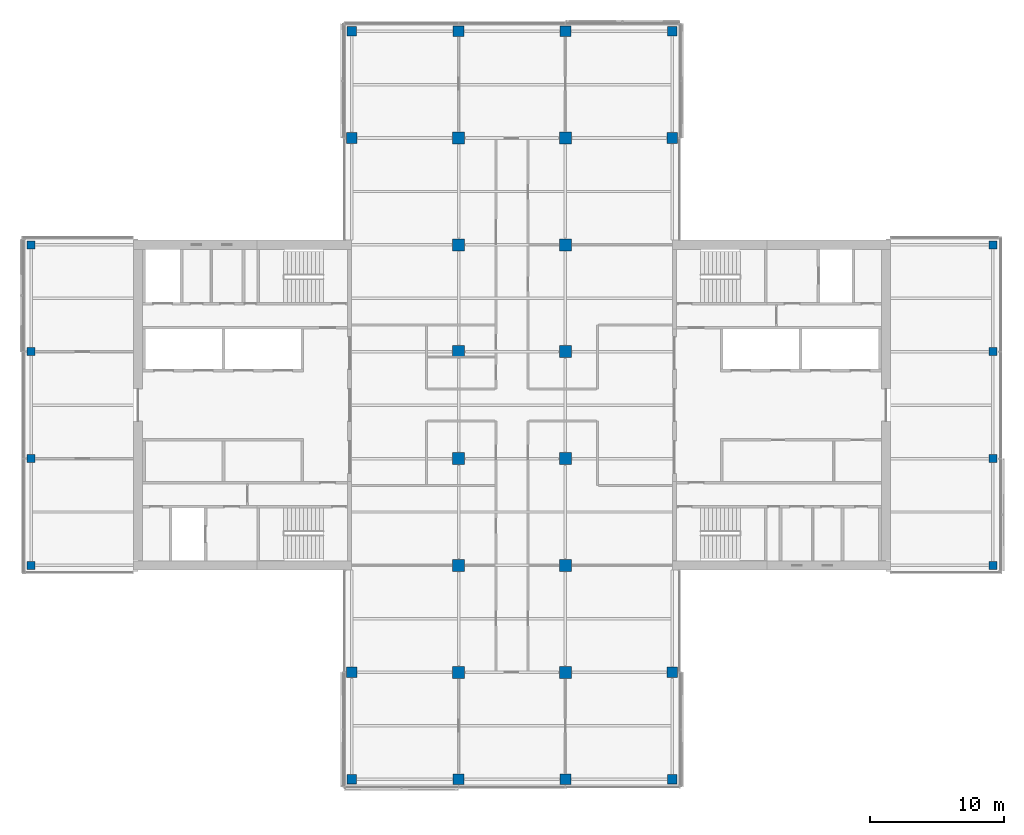
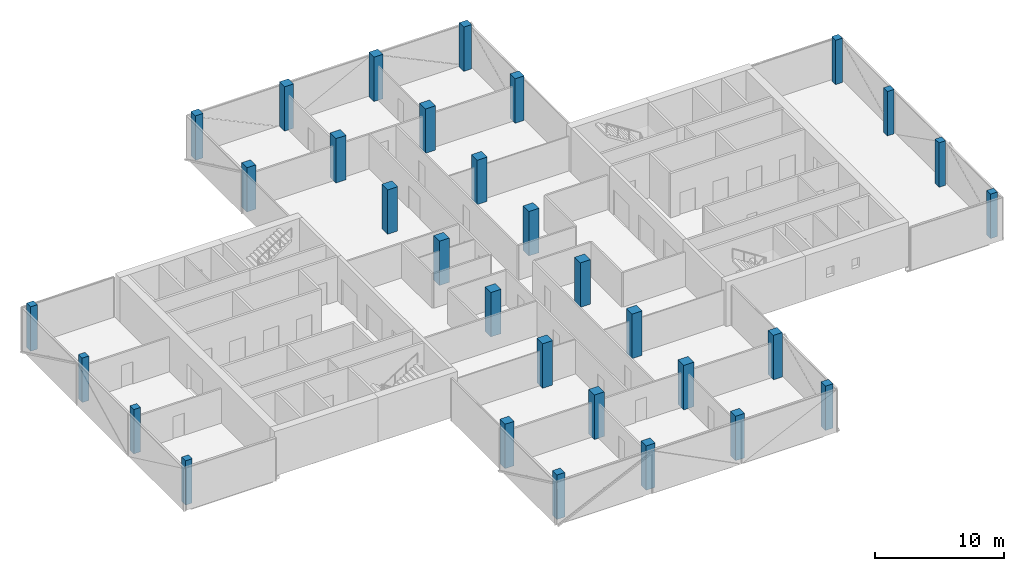
# One storey, part 1 of 22: 32 columns.
"""IFC4 building model written with IfcOpenShell, lengths in metres."""

from ifc_helpers import new_model, si_unit, direction, frame, origin, origin_2d, place, context, subcontext, project, spatial, rectangle, extrude, material, material_profile, profile_set, type_object, element, save


model = new_model("IFC4")

# Units and contexts
model_context = context("Model", 3, precision=1e-05, world=origin(), true_north=direction((0.0, 1.0)))
body_context = subcontext(model_context, "Body", "Model", "MODEL_VIEW")
ifc_project = project(units=[si_unit("LENGTHUNIT", "METRE"), si_unit("AREAUNIT", "SQUARE_METRE"), si_unit("VOLUMEUNIT", "CUBIC_METRE"), si_unit("PLANEANGLEUNIT", "RADIAN"), si_unit("MASSUNIT", "GRAM", prefix="KILO")], contexts=[model_context])

# Site, building, storey
site_placement = place(None, origin())
site = spatial("IfcSite", under=ifc_project, at=site_placement, CompositionType="ELEMENT")
building_placement = place(site_placement, origin())
building = spatial("IfcBuilding", under=site, at=building_placement, Name="Crosswind Convention Tower", CompositionType="ELEMENT")
storey_placement = place(building_placement, frame((0.0, 0.0, 167.300048828125)))
storey = spatial("IfcBuildingStorey", under=building, at=storey_placement, Name="L35", CompositionType="ELEMENT", Elevation=167.300048828125)

# Columns
ifc_material = material(Name="Concrete C60/75", Category="concrete")
ifc_material_profile_1 = material_profile(ifc_material, rectangle(XDim=0.60009765625, YDim=0.60009765625, at=origin_2d()), Name="RC 600X600")
ifc_profile_set_1 = profile_set([ifc_material_profile_1], Name="Concrete C60/75")
column_type_1 = type_object("IfcColumnType", Name="Column RC 600X600", PredefinedType="COLUMN", material=ifc_profile_set_1)
for number, where, z_axis, x_axis, name in (
    (1, (89.0, 88.0, 0.0), (0.0, 0.0, 1.0), (1.0, 0.0, 0.0), "C16 L35 2/E"),
    (2, (89.0, 96.0, 0.0), (0.0, 0.0, 1.0), (1.0, 0.0, 0.0), "C16 L35 2/F"),
    (3, (89.0, 104.0, 0.0), (0.0, 0.0, 1.0), (1.0, 0.0, 0.0), "C16 L35 2/G"),
    (4, (89.0, 112.0, 0.0), (0.0, 0.0, 1.0), (1.0, 0.0, 0.0), "C16 L35 2/H"),
    (5, (161.0, 88.0, 0.0), (0.0, 0.0, 1.0), (1.0, 0.0, 0.0), "C16 L35 11/E"),
    (6, (161.0, 96.0, 0.0), (0.0, 0.0, 1.0), (1.0, 0.0, 0.0), "C16 L35 11/F"),
    (7, (161.0, 104.0, 0.0), (0.0, 0.0, 1.0), (1.0, 0.0, 0.0), "C16 L35 11/G"),
    (8, (161.0, 112.0, 0.0), (0.0, 0.0, 1.0), (1.0, 0.0, 0.0), "C16 L35 11/H"),
):
    element("IfcColumn", number, at=place(storey_placement, frame(where, z_axis=z_axis, x_axis=x_axis)), inside=storey, type_object=column_type_1, Name=name, PredefinedType="COLUMN", context=body_context, shape_type="SweptSolid", body=[
        extrude(rectangle(XDim=0.60009765625, YDim=0.60009765625, at=origin_2d()), origin(), (0.0, 0.0, 1.0), 4.199951171875),
    ])
ifc_material_profile_2 = material_profile(ifc_material, rectangle(XDim=0.699951171875, YDim=0.699951171875, at=origin_2d()), Name="RC 700X700")
ifc_profile_set_2 = profile_set([ifc_material_profile_2], Name="Concrete C60/75")
column_type_2 = type_object("IfcColumnType", Name="Column RC 700X700", PredefinedType="COLUMN", material=ifc_profile_set_2)
for number, where, z_axis, x_axis, name in (
    (9, (113.0, 72.0, 0.0), (0.0, 0.0, 1.0), (1.0, 0.0, 0.0), "C15 L35 5/C"),
    (10, (113.0, 128.0, 0.0), (0.0, 0.0, 1.0), (1.0, 0.0, 0.0), "C15 L35 5/J"),
    (11, (137.0, 72.0, 0.0), (0.0, 0.0, 1.0), (1.0, 0.0, 0.0), "C15 L35 8/C"),
    (12, (137.0, 128.0, 0.0), (0.0, 0.0, 1.0), (1.0, 0.0, 0.0), "C15 L35 8/J"),
):
    element("IfcColumn", number, at=place(storey_placement, frame(where, z_axis=z_axis, x_axis=x_axis)), inside=storey, type_object=column_type_2, Name=name, PredefinedType="COLUMN", context=body_context, shape_type="SweptSolid", body=[
        extrude(rectangle(XDim=0.699951171875, YDim=0.699951171875, at=origin_2d()), origin(), (0.0, 0.0, 1.0), 4.199951171875),
    ])
ifc_material_profile_3 = material_profile(ifc_material, rectangle(XDim=0.800048828125, YDim=0.800048828125, at=origin_2d()), Name="RC 800X800")
ifc_profile_set_3 = profile_set([ifc_material_profile_3], Name="Concrete C60/75")
column_type_3 = type_object("IfcColumnType", Name="Column RC 800X800", PredefinedType="COLUMN", material=ifc_profile_set_3)
for number, where, z_axis, x_axis, name in (
    (13, (113.0, 80.0, 0.0), (0.0, 0.0, 1.0), (1.0, 0.0, 0.0), "C14 L35 5/D"),
    (14, (113.0, 120.0, 0.0), (0.0, 0.0, 1.0), (1.0, 0.0, 0.0), "C14 L35 5/I"),
    (15, (121.0, 72.0, 0.0), (0.0, 0.0, 1.0), (1.0, 0.0, 0.0), "C14 L35 6/C"),
    (16, (121.0, 128.0, 0.0), (0.0, 0.0, 1.0), (1.0, 0.0, 0.0), "C14 L35 6/J"),
    (17, (129.0, 72.0, 0.0), (0.0, 0.0, 1.0), (1.0, 0.0, 0.0), "C14 L35 7/C"),
    (18, (129.0, 128.0, 0.0), (0.0, 0.0, 1.0), (1.0, 0.0, 0.0), "C14 L35 7/J"),
    (19, (137.0, 80.0, 0.0), (0.0, 0.0, 1.0), (1.0, 0.0, 0.0), "C14 L35 8/D"),
    (20, (137.0, 120.0, 0.0), (0.0, 0.0, 1.0), (1.0, 0.0, 0.0), "C14 L35 8/I"),
):
    element("IfcColumn", number, at=place(storey_placement, frame(where, z_axis=z_axis, x_axis=x_axis)), inside=storey, type_object=column_type_3, Name=name, PredefinedType="COLUMN", context=body_context, shape_type="SweptSolid", body=[
        extrude(rectangle(XDim=0.800048828125, YDim=0.800048828125, at=origin_2d()), origin(), (0.0, 0.0, 1.0), 4.199951171875),
    ])
ifc_material_profile_4 = material_profile(ifc_material, rectangle(XDim=0.89990234375, YDim=0.89990234375, at=origin_2d()), Name="RC 900X900")
ifc_profile_set_4 = profile_set([ifc_material_profile_4], Name="Concrete C60/75")
column_type_4 = type_object("IfcColumnType", Name="Column RC 900X900", PredefinedType="COLUMN", material=ifc_profile_set_4)
for number, where, z_axis, x_axis, name in (
    (21, (121.0, 80.0, 0.0), (0.0, 0.0, 1.0), (1.0, 0.0, 0.0), "C13 L35 6/D"),
    (22, (121.0, 88.0, 0.0), (0.0, 0.0, 1.0), (1.0, 0.0, 0.0), "C13 L35 6/E"),
    (23, (121.0, 96.0, 0.0), (0.0, 0.0, 1.0), (1.0, 0.0, 0.0), "C13 L35 6/F"),
    (24, (121.0, 104.0, 0.0), (0.0, 0.0, 1.0), (1.0, 0.0, 0.0), "C13 L35 6/G"),
    (25, (121.0, 112.0, 0.0), (0.0, 0.0, 1.0), (1.0, 0.0, 0.0), "C13 L35 6/H"),
    (26, (121.0, 120.0, 0.0), (0.0, 0.0, 1.0), (1.0, 0.0, 0.0), "C13 L35 6/I"),
    (27, (129.0, 80.0, 0.0), (0.0, 0.0, 1.0), (1.0, 0.0, 0.0), "C13 L35 7/D"),
    (28, (129.0, 88.0, 0.0), (0.0, 0.0, 1.0), (1.0, 0.0, 0.0), "C13 L35 7/E"),
    (29, (129.0, 96.0, 0.0), (0.0, 0.0, 1.0), (1.0, 0.0, 0.0), "C13 L35 7/F"),
    (30, (129.0, 104.0, 0.0), (0.0, 0.0, 1.0), (1.0, 0.0, 0.0), "C13 L35 7/G"),
    (31, (129.0, 112.0, 0.0), (0.0, 0.0, 1.0), (1.0, 0.0, 0.0), "C13 L35 7/H"),
    (32, (129.0, 120.0, 0.0), (0.0, 0.0, 1.0), (1.0, 0.0, 0.0), "C13 L35 7/I"),
):
    element("IfcColumn", number, at=place(storey_placement, frame(where, z_axis=z_axis, x_axis=x_axis)), inside=storey, type_object=column_type_4, Name=name, PredefinedType="COLUMN", context=body_context, shape_type="SweptSolid", body=[
        extrude(rectangle(XDim=0.89990234375, YDim=0.89990234375, at=origin_2d()), origin(), (0.0, 0.0, 1.0), 4.199951171875),
    ])

save(model, "model.ifc")
